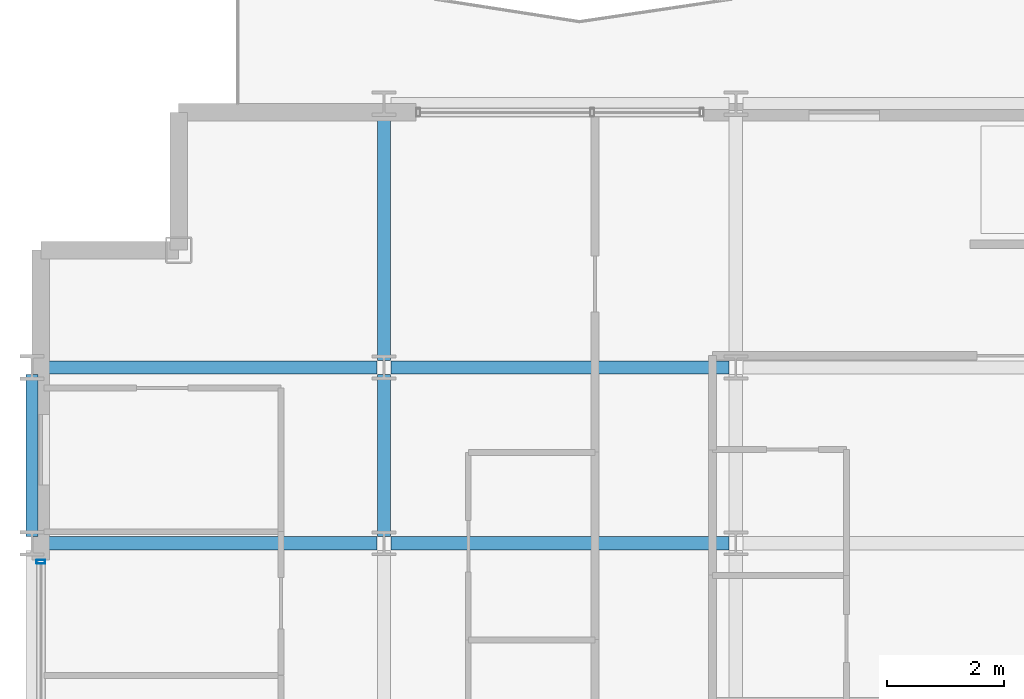
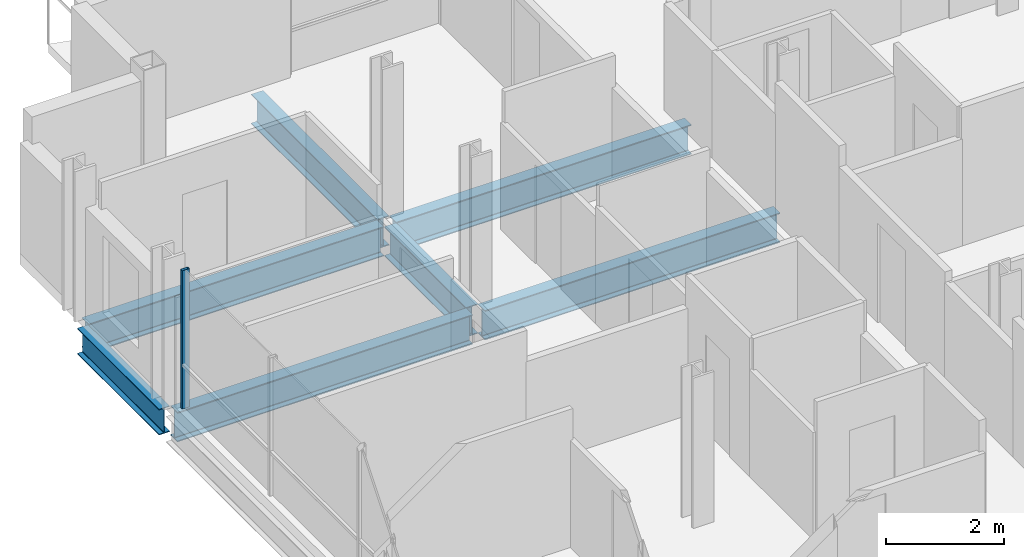
# One storey, part 7 of 40: 7 beams, 1 member, 1 element without a shape of its own.
"""IFC4 building model written with IfcOpenShell, lengths in metres."""

from ifc_helpers import new_model, si_unit, direction, frame, origin, origin_2d, place, context, subcontext, project, spatial, hollow_rectangle, i_section, extrude, material, layer, layer_set, material_profile, profile_set, type_object, element, aggregate, save


model = new_model("IFC4")

# Units and contexts
model_context = context("Model", 3, precision=1e-05, world=origin(), true_north=direction((0.0, 1.0)))
body_context = subcontext(model_context, "Body", "Model", "MODEL_VIEW")
ifc_project = project(units=[si_unit("LENGTHUNIT", "METRE"), si_unit("AREAUNIT", "SQUARE_METRE"), si_unit("VOLUMEUNIT", "CUBIC_METRE"), si_unit("PLANEANGLEUNIT", "RADIAN"), si_unit("MASSUNIT", "GRAM", prefix="KILO")], contexts=[model_context])

# Site, building, storey
site_placement = place(None, origin())
site = spatial("IfcSite", under=ifc_project, at=site_placement, CompositionType="ELEMENT")
building_placement = place(site_placement, origin())
building = spatial("IfcBuilding", under=site, at=building_placement, Name="Brevholm Reach", CompositionType="ELEMENT")
storey_placement = place(building_placement, frame((0.0, 0.0, 131.39990234375)))
storey = spatial("IfcBuildingStorey", under=building, at=storey_placement, Name="L39", CompositionType="ELEMENT", Elevation=131.39990234375)

# Beams
ifc_material_1 = material(Name="Structural Steel S355J2", Category="steel")
ifc_material_profile_1 = material_profile(ifc_material_1, i_section(OverallWidth=0.209228515625, OverallDepth=0.533203125, WebThickness=0.010009765625, FlangeThickness=0.015625, FilletRadius=0.0126953125, at=origin_2d()), Name="UKB 533x210x92")
ifc_profile_set_1 = profile_set([ifc_material_profile_1], Name="Structural Steel S355J2")
beam_type_1 = type_object("IfcBeamType", Name="BM-SP533", PredefinedType="SPANDREL", material=ifc_profile_set_1)
beam_1_placement = place(storey_placement, frame((0.0, 23.6201171875, -0.486572265625), z_axis=(0.0, 1.0, 0.0), x_axis=(-1.0, 0.0, 0.0)))
element("IfcBeam", 1, at=beam_1_placement, inside=storey, type_object=beam_type_1, Name="L39 SP-02 Framing Beam", PredefinedType="SPANDREL", context=body_context, shape_type="SweptSolid", body=[
    extrude(i_section(OverallWidth=0.209228515625, OverallDepth=0.533203125, WebThickness=0.010009765625, FlangeThickness=0.015625, FilletRadius=0.0126953125, at=origin_2d()), origin(), (0.0, 0.0, 1.0), 2.759765625),
])
ifc_material_2 = material(Name="Structural Steel S355J2", Category="steel")
ifc_material_profile_2 = material_profile(ifc_material_2, i_section(OverallWidth=0.22900390625, OverallDepth=0.6123046875, WebThickness=0.011962890625, FlangeThickness=0.01953125, FilletRadius=0.0126953125, at=origin_2d()), Name="UKB 610x229x125")
ifc_profile_set_2 = profile_set([ifc_material_profile_2], Name="Structural Steel S355J2")
beam_type_2 = type_object("IfcBeamType", Name="BM-SP610", PredefinedType="SPANDREL", material=ifc_profile_set_2)
for number, where, z_axis, x_axis, name in (
    (2, (0.1201171875, 23.5, -0.526123046875), (1.0, 0.0, 0.0), (0.0, 1.0, 0.0), "L39 SP-01 Framing Beam"),
    (3, (6.1201171875, 23.5, -0.526123046875), (1.0, 0.0, 0.0), (0.0, 1.0, 0.0), "L39 SP-01 Framing Beam"),
    (4, (0.1201171875, 26.5, -0.526123046875), (1.0, 0.0, 0.0), (0.0, 1.0, 0.0), "L39 SP-01 Framing Beam"),
    (5, (6.1201171875, 26.5, -0.526123046875), (1.0, 0.0, 0.0), (0.0, 1.0, 0.0), "L39 SP-01 Framing Beam"),
):
    element("IfcBeam", number, at=place(storey_placement, frame(where, z_axis=z_axis, x_axis=x_axis)), inside=storey, type_object=beam_type_2, Name=name, PredefinedType="SPANDREL", context=body_context, shape_type="SweptSolid", body=[
        extrude(i_section(OverallWidth=0.22900390625, OverallDepth=0.6123046875, WebThickness=0.011962890625, FlangeThickness=0.01953125, FilletRadius=0.0126953125, at=origin_2d()), origin(), (0.0, 0.0, 1.0), 5.759765625),
    ])
beam_2_placement = place(storey_placement, frame((6.0, 23.6201171875, -0.526123046875), z_axis=(0.0, 1.0, 0.0), x_axis=(-1.0, 0.0, 0.0)))
element("IfcBeam", 6, at=beam_2_placement, inside=storey, type_object=beam_type_2, Name="L39 SP-01 Framing Beam", PredefinedType="SPANDREL", context=body_context, shape_type="SweptSolid", body=[
    extrude(i_section(OverallWidth=0.22900390625, OverallDepth=0.6123046875, WebThickness=0.011962890625, FlangeThickness=0.01953125, FilletRadius=0.0126953125, at=origin_2d()), origin(), (0.0, 0.0, 1.0), 2.759765625),
])
beam_3_placement = place(storey_placement, frame((6.0, 26.6201171875, -0.526123046875), z_axis=(0.0, 1.0, 0.0), x_axis=(-1.0, 0.0, 0.0)))
element("IfcBeam", 7, at=beam_3_placement, inside=storey, type_object=beam_type_2, Name="L39 SP-01 Framing Beam", PredefinedType="SPANDREL", context=body_context, shape_type="SweptSolid", body=[
    extrude(i_section(OverallWidth=0.22900390625, OverallDepth=0.6123046875, WebThickness=0.011962890625, FlangeThickness=0.01953125, FilletRadius=0.0126953125, at=origin_2d()), origin(), (0.0, 0.0, 1.0), 4.259765625),
])

# Curtain wall, member
ifc_material_3 = material(Name="Dark Anodised Aluminium 6063-T6 and Solar-Control Glass", Category="aluminium")
ifc_layer = layer(ifc_material_3, 0.14990234375)
ifc_layer_set = layer_set([ifc_layer], Name="Dark Anodised Aluminium 6063-T6 and Solar-Control Glass")
curtain_wall_type = type_object("IfcCurtainWallType", Name="CW-01", PredefinedType="NOTDEFINED", material=ifc_layer_set)
curtain_wall_placement = place(storey_placement, origin())
curtain_wall = element("IfcCurtainWall", 8, at=curtain_wall_placement, inside=storey, type_object=curtain_wall_type, Name="L39 Curtain Wall CW-01", PredefinedType="NOTDEFINED")
ifc_material_4 = material(Name="Dark Anodised Aluminium 6063-T6", Category="aluminium")
ifc_material_profile_3 = material_profile(ifc_material_4, hollow_rectangle(XDim=0.06494140625, YDim=0.14990234375, WallThickness=0.0048828125, InnerFilletRadius=0.0048828125, OuterFilletRadius=0.010009765625, at=origin_2d()), Name="RHS 150x65x5")
ifc_profile_set_3 = profile_set([ifc_material_profile_3], Name="Dark Anodised Aluminium 6063-T6")
member_type = type_object("IfcMemberType", Name="CWM-150", PredefinedType="MULLION", material=ifc_profile_set_3)
member_placement = place(storey_placement, frame((0.14990234375, 23.1875, 0.0), z_axis=(0.0, 0.0, 1.0), x_axis=(0.0, -1.0, 0.0)))
member = element("IfcMember", 9, at=member_placement, type_object=member_type, Name="CM-150 Mullion 1", PredefinedType="MULLION", context=body_context, shape_type="SweptSolid", body=[
    extrude(hollow_rectangle(XDim=0.06494140625, YDim=0.14990234375, WallThickness=0.0048828125, InnerFilletRadius=0.0048828125, OuterFilletRadius=0.010009765625, at=origin_2d()), origin(), (0.0, 0.0, 1.0), 2.85009765625),
])
aggregate(curtain_wall, [member])

save(model, "model.ifc")
